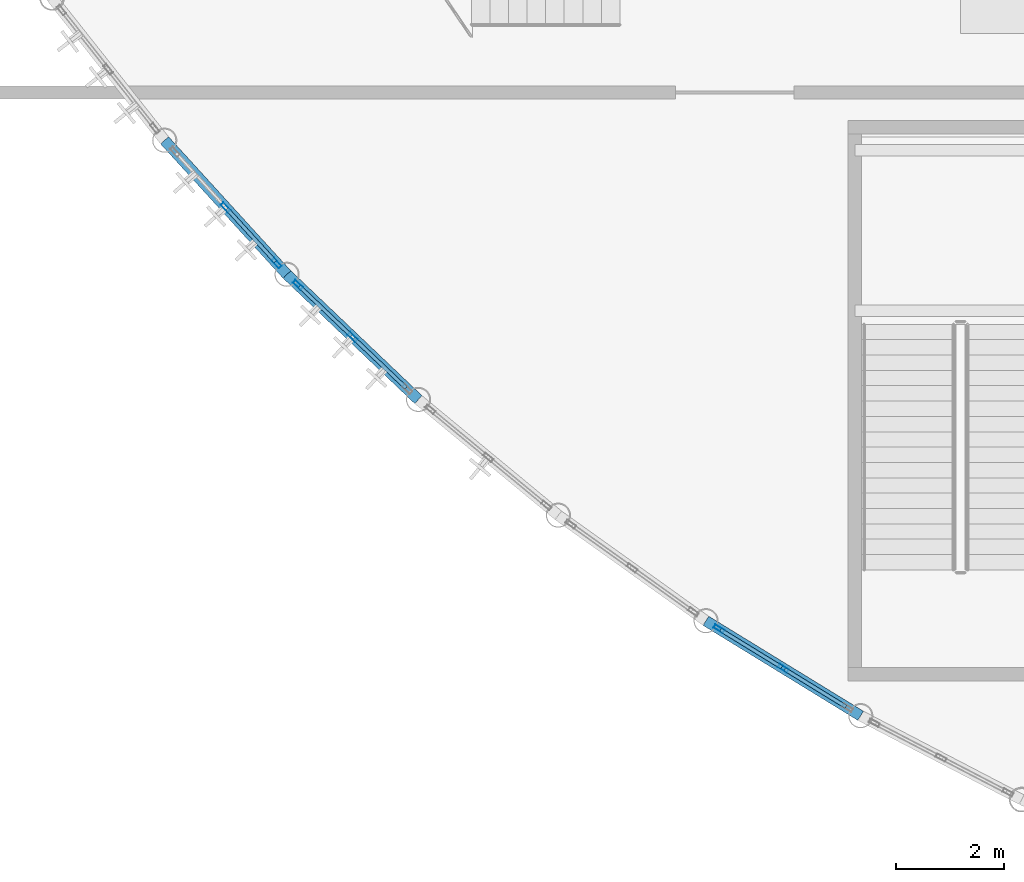
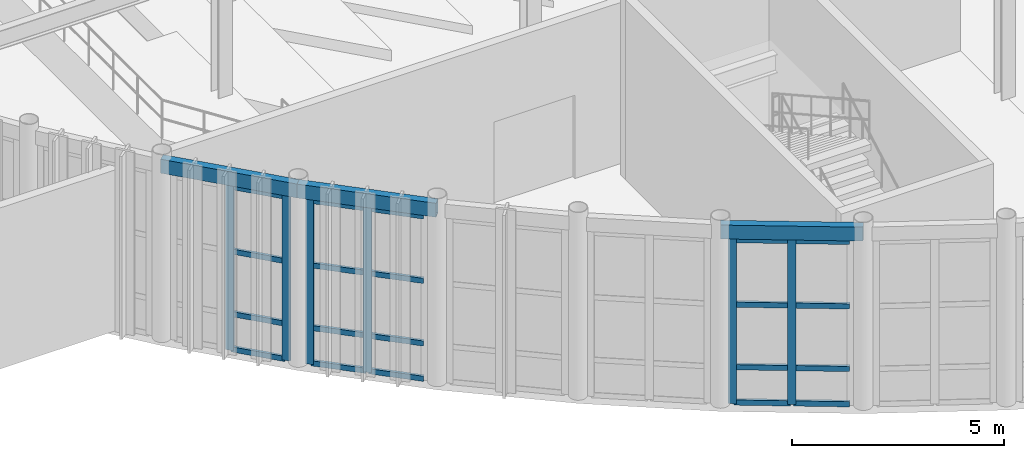
# One storey, part 19 of 87: 26 members, 3 beams, 3 elements without a shape of their own.
"""IFC4 building model written with IfcOpenShell, lengths in metres."""

from ifc_helpers import new_model, si_unit, direction, frame, origin, origin_2d, place, context, subcontext, project, spatial, hollow_rectangle, extrude, material, layer, layer_set, material_profile, profile_set, type_object, element, aggregate, save


model = new_model("IFC4")

# Units and contexts
model_context = context("Model", 3, precision=1e-05, world=origin(), true_north=direction((0.0, 1.0)))
body_context = subcontext(model_context, "Body", "Model", "MODEL_VIEW")
ifc_project = project(units=[si_unit("LENGTHUNIT", "METRE"), si_unit("AREAUNIT", "SQUARE_METRE"), si_unit("VOLUMEUNIT", "CUBIC_METRE"), si_unit("PLANEANGLEUNIT", "RADIAN"), si_unit("MASSUNIT", "GRAM", prefix="KILO")], contexts=[model_context])

# Site, building, storey
site_placement = place(None, origin())
site = spatial("IfcSite", under=ifc_project, at=site_placement, CompositionType="ELEMENT")
building_placement = place(site_placement, origin())
building = spatial("IfcBuilding", under=site, at=building_placement, Name="Selat Folded Stagehouse", CompositionType="ELEMENT")
storey_placement = place(building_placement, origin())
storey = spatial("IfcBuildingStorey", under=building, at=storey_placement, Name="L00", CompositionType="ELEMENT", Elevation=0.0)

# Curtain wall, members
ifc_material_1 = material(Name="Aluminium 6063-T6", Category="aluminium")
ifc_layer = layer(ifc_material_1, 0.219970703125)
ifc_layer_set = layer_set([ifc_layer], Name="Aluminium 6063-T6")
curtain_wall_type = type_object("IfcCurtainWallType", Name="CW-DRM-HIGH", PredefinedType="NOTDEFINED", material=ifc_layer_set)
curtain_wall_1_placement = place(storey_placement, origin())
curtain_wall_1 = element("IfcCurtainWall", 1, at=curtain_wall_1_placement, inside=storey, type_object=curtain_wall_type, Name="L00 curtain wall CW-DRM-L00-12", PredefinedType="NOTDEFINED")
ifc_material_profile_1 = material_profile(ifc_material_1, hollow_rectangle(XDim=0.070068359375, YDim=0.199951171875, WallThickness=0.0048828125, at=origin_2d()), Name="ALU 200x70x5.0")
ifc_profile_set_1 = profile_set([ifc_material_profile_1], Name="Aluminium 6063-T6")
member_type_1 = type_object("IfcMemberType", Name="CWM-MUL-200x70", PredefinedType="MULLION", material=ifc_profile_set_1)
member_1_placement = place(storey_placement, frame((13.50537109375, 14.634765625, 0.0), z_axis=(0.0, 0.0, 1.0), x_axis=(-0.738729183213, -0.674002369336, 0.0)))
member_1 = element("IfcMember", 2, at=member_1_placement, type_object=member_type_1, Name="CW-01 mullion 1", PredefinedType="MULLION", context=body_context, shape_type="SweptSolid", body=[
    extrude(hollow_rectangle(XDim=0.070068359375, YDim=0.199951171875, WallThickness=0.0048828125, at=origin_2d()), origin(), (0.0, 0.0, 1.0), 4.739990234375),
])
member_2_placement = place(storey_placement, frame((12.56201171875, 15.668701171875, 0.0), z_axis=(0.0, 0.0, 1.0), x_axis=(-0.738729183213, -0.674002369336, 0.0)))
member_2 = element("IfcMember", 3, at=member_2_placement, type_object=member_type_1, Name="CW-01 mullion 2", PredefinedType="MULLION", context=body_context, shape_type="SweptSolid", body=[
    extrude(hollow_rectangle(XDim=0.070068359375, YDim=0.199951171875, WallThickness=0.0048828125, at=origin_2d()), origin(), (0.0, 0.0, 1.0), 4.739990234375),
])

curtain_wall_2_placement = place(storey_placement, origin())
curtain_wall_2 = element("IfcCurtainWall", 4, at=curtain_wall_2_placement, inside=storey, type_object=curtain_wall_type, Name="L00 curtain wall CW-DRM-L00-13", PredefinedType="NOTDEFINED")
member_3_placement = place(storey_placement, frame((14.917236328125, 13.262451171875, 0.0), z_axis=(0.0, 0.0, 1.0), x_axis=(-0.689661264636, -0.724132128869, 0.0)))
member_3 = element("IfcMember", 5, at=member_3_placement, type_object=member_type_1, Name="CW-01 mullion 2", PredefinedType="MULLION", context=body_context, shape_type="SweptSolid", body=[
    extrude(hollow_rectangle(XDim=0.070068359375, YDim=0.199951171875, WallThickness=0.0048828125, at=origin_2d()), origin(), (0.0, 0.0, 1.0), 4.739990234375),
])
member_4_placement = place(storey_placement, frame((13.90380859375, 14.227783203125, 0.0), z_axis=(0.0, 0.0, 1.0), x_axis=(-0.689661264636, -0.724132128869, 0.0)))
member_4 = element("IfcMember", 6, at=member_4_placement, type_object=member_type_1, Name="CW-01 mullion 3", PredefinedType="MULLION", context=body_context, shape_type="SweptSolid", body=[
    extrude(hollow_rectangle(XDim=0.070068359375, YDim=0.199951171875, WallThickness=0.0048828125, at=origin_2d()), origin(), (0.0, 0.0, 1.0), 4.739990234375),
])

curtain_wall_3_placement = place(storey_placement, origin())
curtain_wall_3 = element("IfcCurtainWall", 7, at=curtain_wall_3_placement, inside=storey, type_object=curtain_wall_type, Name="L00 curtain wall CW-DRM-L00-16", PredefinedType="NOTDEFINED")
member_5_placement = place(storey_placement, frame((22.91015625, 7.114013671875, 0.0), z_axis=(0.0, 0.0, 1.0), x_axis=(-0.523025427755, -0.852317078277, 0.0)))
member_5 = element("IfcMember", 8, at=member_5_placement, type_object=member_type_1, Name="CW-01 mullion 2", PredefinedType="MULLION", context=body_context, shape_type="SweptSolid", body=[
    extrude(hollow_rectangle(XDim=0.070068359375, YDim=0.199951171875, WallThickness=0.0048828125, at=origin_2d()), origin(), (0.0, 0.0, 1.0), 4.739990234375),
])
member_6_placement = place(storey_placement, frame((21.71728515625, 7.845947265625, 0.0), z_axis=(0.0, 0.0, 1.0), x_axis=(-0.523025427755, -0.852317078277, 0.0)))
member_6 = element("IfcMember", 9, at=member_6_placement, type_object=member_type_1, Name="CW-01 mullion 3", PredefinedType="MULLION", context=body_context, shape_type="SweptSolid", body=[
    extrude(hollow_rectangle(XDim=0.070068359375, YDim=0.199951171875, WallThickness=0.0048828125, at=origin_2d()), origin(), (0.0, 0.0, 1.0), 4.739990234375),
])

# Member
ifc_material_profile_2 = material_profile(ifc_material_1, hollow_rectangle(XDim=0.070068359375, YDim=0.14990234375, WallThickness=0.00390625, at=origin_2d()), Name="ALU 150x70x4.0")
ifc_profile_set_2 = profile_set([ifc_material_profile_2], Name="Aluminium 6063-T6")
member_type_2 = type_object("IfcMemberType", Name="CWM-TRN-150x70", PredefinedType="USERDEFINED", material=ifc_profile_set_2)
member_7_placement = place(storey_placement, frame((13.481689453125, 14.66064453125, 0.034912109375), z_axis=(-0.673951437446, 0.738775649277, 0.0), x_axis=(-0.738775649277, -0.673951437446, 0.0)))
member_7 = element("IfcMember", 10, at=member_7_placement, type_object=member_type_2, Name="CW-01 transom 1.1", ObjectType="TRANSOM", PredefinedType="USERDEFINED", context=body_context, shape_type="SweptSolid", body=[
    extrude(hollow_rectangle(XDim=0.070068359375, YDim=0.14990234375, WallThickness=0.00390625, at=origin_2d()), origin(), (0.0, 0.0, 1.0), 1.329345703125),
])

member_8_placement = place(storey_placement, frame((13.481689453125, 14.66064453125, 1.050048828125), z_axis=(-0.673951437446, 0.738775649277, 0.0), x_axis=(-0.738775649277, -0.673951437446, 0.0)))
member_8 = element("IfcMember", 11, at=member_8_placement, type_object=member_type_2, Name="CW-01 transom 1.2", ObjectType="TRANSOM", PredefinedType="USERDEFINED", context=body_context, shape_type="SweptSolid", body=[
    extrude(hollow_rectangle(XDim=0.070068359375, YDim=0.14990234375, WallThickness=0.00390625, at=origin_2d()), origin(), (0.0, 0.0, 1.0), 1.329345703125),
])

member_9_placement = place(storey_placement, frame((13.481689453125, 14.66064453125, 2.85009765625), z_axis=(-0.673951437446, 0.738775649277, 0.0), x_axis=(-0.738775649277, -0.673951437446, 0.0)))
member_9 = element("IfcMember", 12, at=member_9_placement, type_object=member_type_2, Name="CW-01 transom 1.3", ObjectType="TRANSOM", PredefinedType="USERDEFINED", context=body_context, shape_type="SweptSolid", body=[
    extrude(hollow_rectangle(XDim=0.070068359375, YDim=0.14990234375, WallThickness=0.00390625, at=origin_2d()), origin(), (0.0, 0.0, 1.0), 1.329345703125),
])

member_10_placement = place(storey_placement, frame((13.481689453125, 14.66064453125, 4.705078125), z_axis=(-0.673951437446, 0.738775649277, 0.0), x_axis=(-0.738775649277, -0.673951437446, 0.0)))
member_10 = element("IfcMember", 13, at=member_10_placement, type_object=member_type_2, Name="CW-01 transom 1.4", ObjectType="TRANSOM", PredefinedType="USERDEFINED", context=body_context, shape_type="SweptSolid", body=[
    extrude(hollow_rectangle(XDim=0.070068359375, YDim=0.14990234375, WallThickness=0.00390625, at=origin_2d()), origin(), (0.0, 0.0, 1.0), 1.329345703125),
])

aggregate(curtain_wall_1, [member_1, member_2, member_7, member_8, member_9, member_10])

member_11_placement = place(storey_placement, frame((15.9052734375, 12.321533203125, 0.034912109375), z_axis=(-0.724068054768, 0.689728535052, 0.0), x_axis=(-0.689728535052, -0.724068054768, 0.0)))
member_11 = element("IfcMember", 14, at=member_11_placement, type_object=member_type_2, Name="CW-01 transom 1.1", ObjectType="TRANSOM", PredefinedType="USERDEFINED", context=body_context, shape_type="SweptSolid", body=[
    extrude(hollow_rectangle(XDim=0.070068359375, YDim=0.14990234375, WallThickness=0.00390625, at=origin_2d()), origin(), (0.0, 0.0, 1.0), 1.32958984375),
])

member_12_placement = place(storey_placement, frame((15.9052734375, 12.321533203125, 1.050048828125), z_axis=(-0.724068054768, 0.689728535052, 0.0), x_axis=(-0.689728535052, -0.724068054768, 0.0)))
member_12 = element("IfcMember", 15, at=member_12_placement, type_object=member_type_2, Name="CW-01 transom 1.2", ObjectType="TRANSOM", PredefinedType="USERDEFINED", context=body_context, shape_type="SweptSolid", body=[
    extrude(hollow_rectangle(XDim=0.070068359375, YDim=0.14990234375, WallThickness=0.00390625, at=origin_2d()), origin(), (0.0, 0.0, 1.0), 1.32958984375),
])

member_13_placement = place(storey_placement, frame((15.9052734375, 12.321533203125, 2.85009765625), z_axis=(-0.724068054768, 0.689728535052, 0.0), x_axis=(-0.689728535052, -0.724068054768, 0.0)))
member_13 = element("IfcMember", 16, at=member_13_placement, type_object=member_type_2, Name="CW-01 transom 1.3", ObjectType="TRANSOM", PredefinedType="USERDEFINED", context=body_context, shape_type="SweptSolid", body=[
    extrude(hollow_rectangle(XDim=0.070068359375, YDim=0.14990234375, WallThickness=0.00390625, at=origin_2d()), origin(), (0.0, 0.0, 1.0), 1.32958984375),
])

member_14_placement = place(storey_placement, frame((15.9052734375, 12.321533203125, 4.705078125), z_axis=(-0.724068054768, 0.689728535052, 0.0), x_axis=(-0.689728535052, -0.724068054768, 0.0)))
member_14 = element("IfcMember", 17, at=member_14_placement, type_object=member_type_2, Name="CW-01 transom 1.4", ObjectType="TRANSOM", PredefinedType="USERDEFINED", context=body_context, shape_type="SweptSolid", body=[
    extrude(hollow_rectangle(XDim=0.070068359375, YDim=0.14990234375, WallThickness=0.00390625, at=origin_2d()), origin(), (0.0, 0.0, 1.0), 1.32958984375),
])

member_15_placement = place(storey_placement, frame((14.891845703125, 13.28662109375, 0.034912109375), z_axis=(-0.724068054768, 0.689728535052, 0.0), x_axis=(-0.689728535052, -0.724068054768, 0.0)))
member_15 = element("IfcMember", 18, at=member_15_placement, type_object=member_type_2, Name="CW-01 transom 2.1", ObjectType="TRANSOM", PredefinedType="USERDEFINED", context=body_context, shape_type="SweptSolid", body=[
    extrude(hollow_rectangle(XDim=0.070068359375, YDim=0.14990234375, WallThickness=0.00390625, at=origin_2d()), origin(), (0.0, 0.0, 1.0), 1.32958984375),
])

member_16_placement = place(storey_placement, frame((14.891845703125, 13.28662109375, 1.050048828125), z_axis=(-0.724068054768, 0.689728535052, 0.0), x_axis=(-0.689728535052, -0.724068054768, 0.0)))
member_16 = element("IfcMember", 19, at=member_16_placement, type_object=member_type_2, Name="CW-01 transom 2.2", ObjectType="TRANSOM", PredefinedType="USERDEFINED", context=body_context, shape_type="SweptSolid", body=[
    extrude(hollow_rectangle(XDim=0.070068359375, YDim=0.14990234375, WallThickness=0.00390625, at=origin_2d()), origin(), (0.0, 0.0, 1.0), 1.32958984375),
])

member_17_placement = place(storey_placement, frame((14.891845703125, 13.28662109375, 2.85009765625), z_axis=(-0.724068054768, 0.689728535052, 0.0), x_axis=(-0.689728535052, -0.724068054768, 0.0)))
member_17 = element("IfcMember", 20, at=member_17_placement, type_object=member_type_2, Name="CW-01 transom 2.3", ObjectType="TRANSOM", PredefinedType="USERDEFINED", context=body_context, shape_type="SweptSolid", body=[
    extrude(hollow_rectangle(XDim=0.070068359375, YDim=0.14990234375, WallThickness=0.00390625, at=origin_2d()), origin(), (0.0, 0.0, 1.0), 1.32958984375),
])

member_18_placement = place(storey_placement, frame((14.891845703125, 13.28662109375, 4.705078125), z_axis=(-0.724068054768, 0.689728535052, 0.0), x_axis=(-0.689728535052, -0.724068054768, 0.0)))
member_18 = element("IfcMember", 21, at=member_18_placement, type_object=member_type_2, Name="CW-01 transom 2.4", ObjectType="TRANSOM", PredefinedType="USERDEFINED", context=body_context, shape_type="SweptSolid", body=[
    extrude(hollow_rectangle(XDim=0.070068359375, YDim=0.14990234375, WallThickness=0.00390625, at=origin_2d()), origin(), (0.0, 0.0, 1.0), 1.32958984375),
])

aggregate(curtain_wall_2, [member_3, member_4, member_11, member_12, member_13, member_14, member_15, member_16, member_17, member_18])

member_19_placement = place(storey_placement, frame((24.072998046875, 6.400390625, 0.034912109375), z_axis=(-0.852313425486, 0.52303138026, 0.0), x_axis=(-0.52303138026, -0.852313425486, 0.0)))
member_19 = element("IfcMember", 22, at=member_19_placement, type_object=member_type_2, Name="CW-01 transom 1.1", ObjectType="TRANSOM", PredefinedType="USERDEFINED", context=body_context, shape_type="SweptSolid", body=[
    extrude(hollow_rectangle(XDim=0.070068359375, YDim=0.14990234375, WallThickness=0.00390625, at=origin_2d()), origin(), (0.0, 0.0, 1.0), 1.329345703125),
])

member_20_placement = place(storey_placement, frame((24.072998046875, 6.400390625, 1.050048828125), z_axis=(-0.852313425486, 0.52303138026, 0.0), x_axis=(-0.52303138026, -0.852313425486, 0.0)))
member_20 = element("IfcMember", 23, at=member_20_placement, type_object=member_type_2, Name="CW-01 transom 1.2", ObjectType="TRANSOM", PredefinedType="USERDEFINED", context=body_context, shape_type="SweptSolid", body=[
    extrude(hollow_rectangle(XDim=0.070068359375, YDim=0.14990234375, WallThickness=0.00390625, at=origin_2d()), origin(), (0.0, 0.0, 1.0), 1.329345703125),
])

member_21_placement = place(storey_placement, frame((24.072998046875, 6.400390625, 2.85009765625), z_axis=(-0.852313425486, 0.52303138026, 0.0), x_axis=(-0.52303138026, -0.852313425486, 0.0)))
member_21 = element("IfcMember", 24, at=member_21_placement, type_object=member_type_2, Name="CW-01 transom 1.3", ObjectType="TRANSOM", PredefinedType="USERDEFINED", context=body_context, shape_type="SweptSolid", body=[
    extrude(hollow_rectangle(XDim=0.070068359375, YDim=0.14990234375, WallThickness=0.00390625, at=origin_2d()), origin(), (0.0, 0.0, 1.0), 1.329345703125),
])

member_22_placement = place(storey_placement, frame((24.072998046875, 6.400390625, 4.705078125), z_axis=(-0.852313425486, 0.52303138026, 0.0), x_axis=(-0.52303138026, -0.852313425486, 0.0)))
member_22 = element("IfcMember", 25, at=member_22_placement, type_object=member_type_2, Name="CW-01 transom 1.4", ObjectType="TRANSOM", PredefinedType="USERDEFINED", context=body_context, shape_type="SweptSolid", body=[
    extrude(hollow_rectangle(XDim=0.070068359375, YDim=0.14990234375, WallThickness=0.00390625, at=origin_2d()), origin(), (0.0, 0.0, 1.0), 1.329345703125),
])

member_23_placement = place(storey_placement, frame((22.88037109375, 7.13232421875, 0.034912109375), z_axis=(-0.852363652955, 0.522949522537, 0.0), x_axis=(-0.522949522537, -0.852363652955, 0.0)))
member_23 = element("IfcMember", 26, at=member_23_placement, type_object=member_type_2, Name="CW-01 transom 2.1", ObjectType="TRANSOM", PredefinedType="USERDEFINED", context=body_context, shape_type="SweptSolid", body=[
    extrude(hollow_rectangle(XDim=0.070068359375, YDim=0.14990234375, WallThickness=0.00390625, at=origin_2d()), origin(), (0.0, 0.0, 1.0), 1.32958984375),
])

member_24_placement = place(storey_placement, frame((22.88037109375, 7.13232421875, 1.050048828125), z_axis=(-0.852363652955, 0.522949522537, 0.0), x_axis=(-0.522949522537, -0.852363652955, 0.0)))
member_24 = element("IfcMember", 27, at=member_24_placement, type_object=member_type_2, Name="CW-01 transom 2.2", ObjectType="TRANSOM", PredefinedType="USERDEFINED", context=body_context, shape_type="SweptSolid", body=[
    extrude(hollow_rectangle(XDim=0.070068359375, YDim=0.14990234375, WallThickness=0.00390625, at=origin_2d()), origin(), (0.0, 0.0, 1.0), 1.32958984375),
])

member_25_placement = place(storey_placement, frame((22.88037109375, 7.13232421875, 2.85009765625), z_axis=(-0.852363652955, 0.522949522537, 0.0), x_axis=(-0.522949522537, -0.852363652955, 0.0)))
member_25 = element("IfcMember", 28, at=member_25_placement, type_object=member_type_2, Name="CW-01 transom 2.3", ObjectType="TRANSOM", PredefinedType="USERDEFINED", context=body_context, shape_type="SweptSolid", body=[
    extrude(hollow_rectangle(XDim=0.070068359375, YDim=0.14990234375, WallThickness=0.00390625, at=origin_2d()), origin(), (0.0, 0.0, 1.0), 1.32958984375),
])

member_26_placement = place(storey_placement, frame((22.88037109375, 7.13232421875, 4.705078125), z_axis=(-0.852363652955, 0.522949522537, 0.0), x_axis=(-0.522949522537, -0.852363652955, 0.0)))
member_26 = element("IfcMember", 29, at=member_26_placement, type_object=member_type_2, Name="CW-01 transom 2.4", ObjectType="TRANSOM", PredefinedType="USERDEFINED", context=body_context, shape_type="SweptSolid", body=[
    extrude(hollow_rectangle(XDim=0.070068359375, YDim=0.14990234375, WallThickness=0.00390625, at=origin_2d()), origin(), (0.0, 0.0, 1.0), 1.32958984375),
])

aggregate(curtain_wall_3, [member_5, member_6, member_19, member_20, member_21, member_22, member_23, member_24, member_25, member_26])

# Beams
ifc_material_2 = material(Name="Steel S355", Category="steel")
ifc_material_profile_3 = material_profile(ifc_material_2, hollow_rectangle(XDim=0.199951171875, YDim=0.39990234375, WallThickness=0.012451171875, at=origin_2d()), Name="RHS 400x200x12.5")
ifc_profile_set_3 = profile_set([ifc_material_profile_3], Name="Steel S355")
beam_type = type_object("IfcBeamType", Name="SPD-EXT-400x200", PredefinedType="SPANDREL", material=ifc_profile_set_3)
beam_placement = place(storey_placement, frame((11.4267578125, 16.9130859375, 4.97998046875), z_axis=(0.674009862858, -0.738722346197, 0.0), x_axis=(0.738722346197, 0.674009862858, 0.0)))
element("IfcBeam", 30, at=beam_placement, inside=storey, type_object=beam_type, Name="L00 curved drum spandrel beam 13", PredefinedType="SPANDREL", context=body_context, shape_type="SweptSolid", body=[
    extrude(hollow_rectangle(XDim=0.199951171875, YDim=0.39990234375, WallThickness=0.012451171875, at=origin_2d()), origin(), (0.0, 0.0, 1.0), 3.369140625),
])
for number, where, z_axis, x_axis, name in (
    (31, (13.697509765625, 14.42431640625, 4.97998046875), (0.724108632634, -0.689685934426, 0.0), (0.689685934426, 0.724108632634, 0.0), "L00 curved drum spandrel beam 14"),
    (32, (21.474365234375, 7.9951171875, 4.97998046875), (0.852289688317, -0.523070059542, 0.0), (0.523070059542, 0.852289688317, 0.0), "L00 curved drum spandrel beam 17"),
):
    element("IfcBeam", number, at=place(storey_placement, frame(where, z_axis=z_axis, x_axis=x_axis)), inside=storey, type_object=beam_type, Name=name, PredefinedType="SPANDREL", context=body_context, shape_type="SweptSolid", body=[
        extrude(hollow_rectangle(XDim=0.199951171875, YDim=0.39990234375, WallThickness=0.012451171875, at=origin_2d()), origin(), (0.0, 0.0, 1.0), 3.368896484375),
    ])

save(model, "model.ifc")
